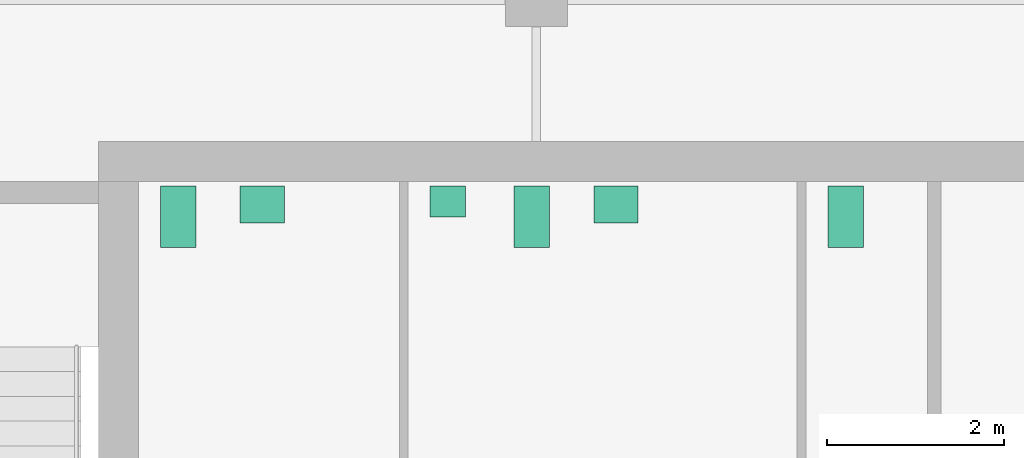
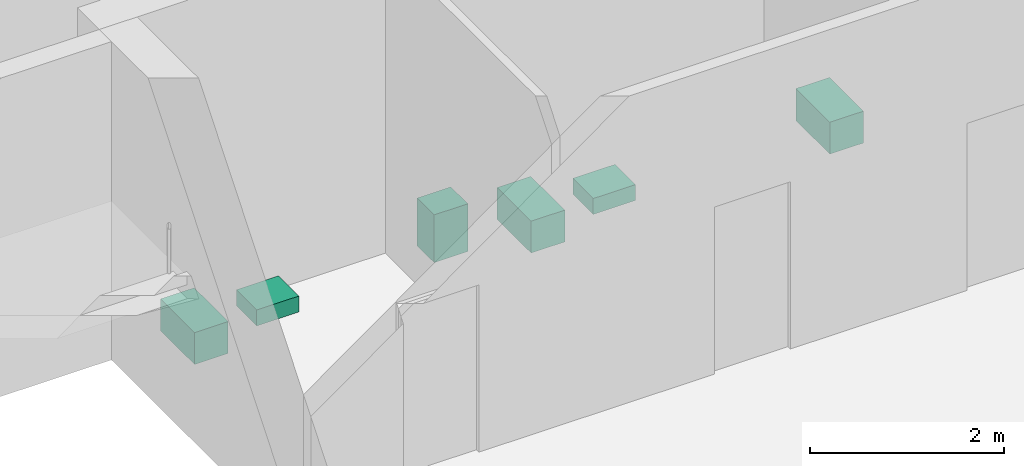
# One storey, part 7 of 7: 6 sanitary terminals.
"""IFC4 building model written with IfcOpenShell, lengths in metres."""

from ifc_helpers import new_model, si_unit, direction, frame, origin, origin_2d, place, context, subcontext, project, spatial, rectangle, extrude, material, type_object, element, save


model = new_model("IFC4")

# Units and contexts
model_context = context("Model", 3, precision=1e-05, world=origin(), true_north=direction((0.0, 1.0)))
body_context = subcontext(model_context, "Body", "Model", "MODEL_VIEW")
ifc_project = project(units=[si_unit("LENGTHUNIT", "METRE"), si_unit("AREAUNIT", "SQUARE_METRE"), si_unit("VOLUMEUNIT", "CUBIC_METRE"), si_unit("PLANEANGLEUNIT", "RADIAN"), si_unit("MASSUNIT", "GRAM", prefix="KILO")], contexts=[model_context])

# Site, building, storey
site_placement = place(None, origin())
site = spatial("IfcSite", under=ifc_project, at=site_placement, CompositionType="ELEMENT")
building_placement = place(site_placement, origin())
building = spatial("IfcBuilding", under=site, at=building_placement, Name="Cinnabar Reach Civic Tower", CompositionType="ELEMENT")
storey_placement = place(building_placement, frame((0.0, 0.0, 263.0)))
storey = spatial("IfcBuildingStorey", under=building, at=storey_placement, Name="L63", CompositionType="ELEMENT", Elevation=263.0)

# Sanitary terminals
ifc_material = material(Name="Vitreous china")
sanitary_terminal_type_1 = type_object("IfcSanitaryTerminalType", Name="T1 WC pan", PredefinedType="TOILETPAN", material=ifc_material)
for number, where, z_axis, x_axis, name in (
    (1, (4.95, 41.6, 0.0), (0.0, 0.0, 1.0), (1.0, 0.0, 0.0), "T1 WC pan 6308-1"),
    (2, (8.95, 41.6, 0.0), (0.0, 0.0, 1.0), (1.0, 0.0, 0.0), "T1 WC pan 6309-2"),
    (3, (12.5, 41.6, 0.0), (0.0, 0.0, 1.0), (1.0, 0.0, 0.0), "T1 WC pan 6310-1"),
):
    element("IfcSanitaryTerminal", number, at=place(storey_placement, frame(where, z_axis=z_axis, x_axis=x_axis)), inside=storey, type_object=sanitary_terminal_type_1, Name=name, PredefinedType="TOILETPAN", context=body_context, shape_type="SweptSolid", body=[
        extrude(rectangle(XDim=0.4, YDim=0.7, at=origin_2d()), origin(), (0.0, 0.0, 1.0), 0.4),
    ])
sanitary_terminal_type_2 = type_object("IfcSanitaryTerminalType", Name="T1 urinal", PredefinedType="URINAL", material=ifc_material)
sanitary_terminal_placement = place(storey_placement, frame((8.0, 41.775, 0.0), z_axis=(0.0, 0.0, 1.0), x_axis=(1.0, 0.0, 0.0)))
element("IfcSanitaryTerminal", 4, at=sanitary_terminal_placement, inside=storey, type_object=sanitary_terminal_type_2, Name="T1 urinal 6309-1", PredefinedType="URINAL", context=body_context, shape_type="SweptSolid", body=[
    extrude(rectangle(XDim=0.4, YDim=0.35, at=origin_2d()), origin(), (0.0, 0.0, 1.0), 0.6),
])
sanitary_terminal_type_3 = type_object("IfcSanitaryTerminalType", Name="T1 wash basin", PredefinedType="WASHHANDBASIN", material=ifc_material)
for number, where, z_axis, x_axis, name in (
    (5, (5.9, 41.74, 0.0), (0.0, 0.0, 1.0), (1.0, 0.0, 0.0), "T1 wash basin 6308-2"),
    (6, (9.9, 41.74, 0.0), (0.0, 0.0, 1.0), (1.0, 0.0, 0.0), "T1 wash basin 6309-3"),
):
    element("IfcSanitaryTerminal", number, at=place(storey_placement, frame(where, z_axis=z_axis, x_axis=x_axis)), inside=storey, type_object=sanitary_terminal_type_3, Name=name, PredefinedType="WASHHANDBASIN", context=body_context, shape_type="SweptSolid", body=[
        extrude(rectangle(XDim=0.5, YDim=0.42, at=origin_2d()), origin(), (0.0, 0.0, 1.0), 0.2),
    ])

save(model, "model.ifc")
